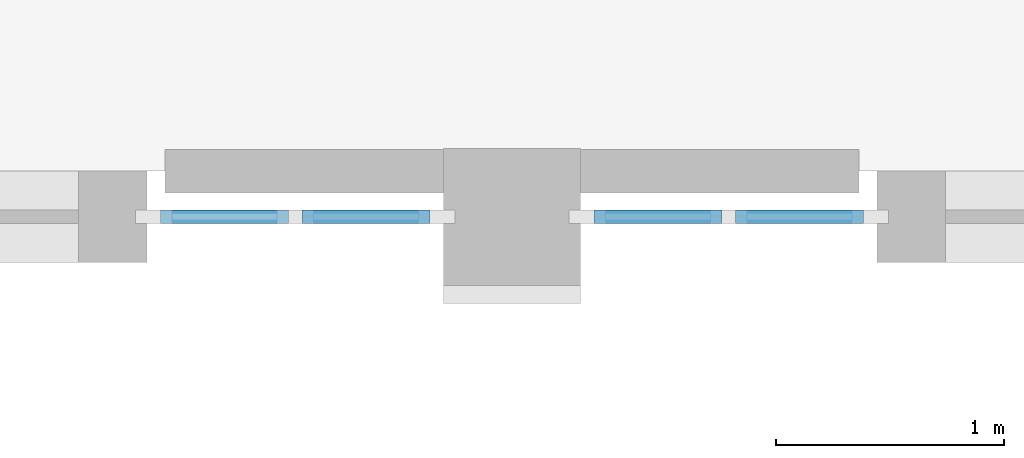
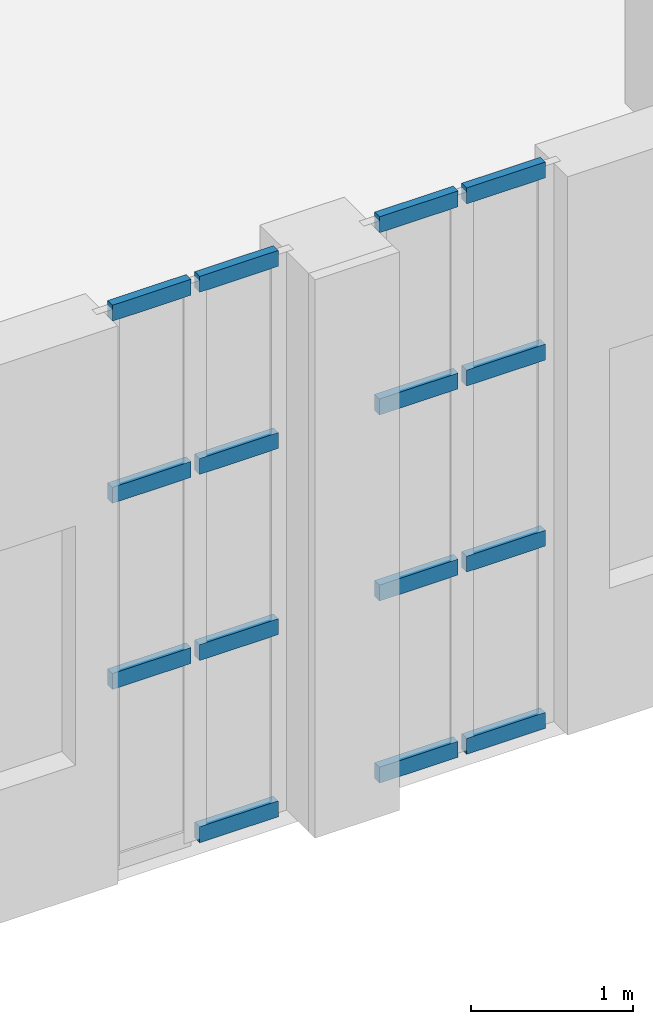
# One storey, part 36 of 99: 15 members, 2 elements without a shape of their own.
"""IFC4 building model written with IfcOpenShell, lengths in metres."""

from ifc_helpers import new_model, si_unit, direction, frame, origin, origin_2d, place, context, subcontext, project, spatial, rectangle, extrude, material, layer, layer_set, material_profile, profile_set, type_object, element, aggregate, save


model = new_model("IFC4")

# Units and contexts
model_context = context("Model", 3, precision=1e-05, world=origin(), true_north=direction((0.0, 1.0)))
body_context = subcontext(model_context, "Body", "Model", "MODEL_VIEW")
ifc_project = project(units=[si_unit("LENGTHUNIT", "METRE"), si_unit("AREAUNIT", "SQUARE_METRE"), si_unit("VOLUMEUNIT", "CUBIC_METRE"), si_unit("PLANEANGLEUNIT", "RADIAN"), si_unit("MASSUNIT", "GRAM", prefix="KILO")], contexts=[model_context])

# Site, building, storey
site_placement = place(None, origin())
site = spatial("IfcSite", under=ifc_project, at=site_placement, CompositionType="ELEMENT")
building_placement = place(site_placement, origin())
building = spatial("IfcBuilding", under=site, at=building_placement, Name="Wasatch Bagh Community Centre", CompositionType="ELEMENT")
storey_placement = place(building_placement, frame((0.0, 0.0, 4.199951171875)))
storey = spatial("IfcBuildingStorey", under=building, at=storey_placement, Name="L01", CompositionType="ELEMENT", Elevation=4.199951171875)

# Curtain wall, members
ifc_material = material(Name="Aluminium alloy 6063-T6", Category="aluminium")
ifc_layer = layer(ifc_material, 0.10009765625)
ifc_layer_set = layer_set([ifc_layer], Name="Aluminium alloy 6063-T6")
curtain_wall_type = type_object("IfcCurtainWallType", Name="SH-CW1", PredefinedType="NOTDEFINED", material=ifc_layer_set)
curtain_wall_1_placement = place(storey_placement, origin())
curtain_wall_1 = element("IfcCurtainWall", 1, at=curtain_wall_1_placement, inside=storey, type_object=curtain_wall_type, Name="Curtain wall SH-CW1", PredefinedType="NOTDEFINED")
ifc_material_profile = material_profile(ifc_material, rectangle(XDim=0.06005859375, YDim=0.1201171875, at=origin_2d()), Name="AL 60x120")
ifc_profile_set = profile_set([ifc_material_profile], Name="Aluminium alloy 6063-T6")
member_type = type_object("IfcMemberType", Name="SH-CW1 transom", PredefinedType="USERDEFINED", material=ifc_profile_set)
member_1_placement = place(storey_placement, frame((127.4599609375, 38.199951171875, 1.400146484375), z_axis=(1.0, 0.0, 0.0), x_axis=(0.0, 1.0, 0.0)))
member_1 = element("IfcMember", 2, at=member_1_placement, type_object=member_type, Name="SH-CW1 transom 1.2", ObjectType="TRANSOM", PredefinedType="USERDEFINED", context=body_context, shape_type="SweptSolid", body=[
    extrude(rectangle(XDim=0.06005859375, YDim=0.1201171875, at=origin_2d()), origin(), (0.0, 0.0, 1.0), 0.56005859375),
])
member_2_placement = place(storey_placement, frame((127.4599609375, 38.199951171875, 2.800048828125), z_axis=(1.0, 0.0, 0.0), x_axis=(0.0, 1.0, 0.0)))
member_2 = element("IfcMember", 3, at=member_2_placement, type_object=member_type, Name="SH-CW1 transom 1.3", ObjectType="TRANSOM", PredefinedType="USERDEFINED", context=body_context, shape_type="SweptSolid", body=[
    extrude(rectangle(XDim=0.06005859375, YDim=0.1201171875, at=origin_2d()), origin(), (0.0, 0.0, 1.0), 0.56005859375),
])
member_3_placement = place(storey_placement, frame((127.4599609375, 38.199951171875, 4.170166015625), z_axis=(1.0, 0.0, 0.0), x_axis=(0.0, 1.0, 0.0)))
member_3 = element("IfcMember", 4, at=member_3_placement, type_object=member_type, Name="SH-CW1 transom 1.4", ObjectType="TRANSOM", PredefinedType="USERDEFINED", context=body_context, shape_type="SweptSolid", body=[
    extrude(rectangle(XDim=0.06005859375, YDim=0.1201171875, at=origin_2d()), origin(), (0.0, 0.0, 1.0), 0.56005859375),
])
member_4_placement = place(storey_placement, frame((128.080078125, 38.199951171875, 0.030029296875), z_axis=(1.0, 0.0, 0.0), x_axis=(0.0, 1.0, 0.0)))
member_4 = element("IfcMember", 5, at=member_4_placement, type_object=member_type, Name="SH-CW1 transom 2.1", ObjectType="TRANSOM", PredefinedType="USERDEFINED", context=body_context, shape_type="SweptSolid", body=[
    extrude(rectangle(XDim=0.06005859375, YDim=0.1201171875, at=origin_2d()), origin(), (0.0, 0.0, 1.0), 0.559814453125),
])
member_5_placement = place(storey_placement, frame((128.080078125, 38.199951171875, 1.400146484375), z_axis=(1.0, 0.0, 0.0), x_axis=(0.0, 1.0, 0.0)))
member_5 = element("IfcMember", 6, at=member_5_placement, type_object=member_type, Name="SH-CW1 transom 2.2", ObjectType="TRANSOM", PredefinedType="USERDEFINED", context=body_context, shape_type="SweptSolid", body=[
    extrude(rectangle(XDim=0.06005859375, YDim=0.1201171875, at=origin_2d()), origin(), (0.0, 0.0, 1.0), 0.559814453125),
])
member_6_placement = place(storey_placement, frame((128.080078125, 38.199951171875, 2.800048828125), z_axis=(1.0, 0.0, 0.0), x_axis=(0.0, 1.0, 0.0)))
member_6 = element("IfcMember", 7, at=member_6_placement, type_object=member_type, Name="SH-CW1 transom 2.3", ObjectType="TRANSOM", PredefinedType="USERDEFINED", context=body_context, shape_type="SweptSolid", body=[
    extrude(rectangle(XDim=0.06005859375, YDim=0.1201171875, at=origin_2d()), origin(), (0.0, 0.0, 1.0), 0.559814453125),
])
member_7_placement = place(storey_placement, frame((128.080078125, 38.199951171875, 4.170166015625), z_axis=(1.0, 0.0, 0.0), x_axis=(0.0, 1.0, 0.0)))
member_7 = element("IfcMember", 8, at=member_7_placement, type_object=member_type, Name="SH-CW1 transom 2.4", ObjectType="TRANSOM", PredefinedType="USERDEFINED", context=body_context, shape_type="SweptSolid", body=[
    extrude(rectangle(XDim=0.06005859375, YDim=0.1201171875, at=origin_2d()), origin(), (0.0, 0.0, 1.0), 0.559814453125),
])
aggregate(curtain_wall_1, [member_1, member_2, member_3, member_4, member_5, member_6, member_7])

curtain_wall_2_placement = place(storey_placement, origin())
curtain_wall_2 = element("IfcCurtainWall", 9, at=curtain_wall_2_placement, inside=storey, type_object=curtain_wall_type, Name="Curtain wall SH-CW1", PredefinedType="NOTDEFINED")
member_8_placement = place(storey_placement, frame((129.360107421875, 38.199951171875, 0.030029296875), z_axis=(1.0, 0.0, 0.0), x_axis=(0.0, 1.0, 0.0)))
member_8 = element("IfcMember", 10, at=member_8_placement, type_object=member_type, Name="SH-CW1 transom 1.1", ObjectType="TRANSOM", PredefinedType="USERDEFINED", context=body_context, shape_type="SweptSolid", body=[
    extrude(rectangle(XDim=0.06005859375, YDim=0.1201171875, at=origin_2d()), origin(), (0.0, 0.0, 1.0), 0.559814453125),
])
member_9_placement = place(storey_placement, frame((129.360107421875, 38.199951171875, 1.400146484375), z_axis=(1.0, 0.0, 0.0), x_axis=(0.0, 1.0, 0.0)))
member_9 = element("IfcMember", 11, at=member_9_placement, type_object=member_type, Name="SH-CW1 transom 1.2", ObjectType="TRANSOM", PredefinedType="USERDEFINED", context=body_context, shape_type="SweptSolid", body=[
    extrude(rectangle(XDim=0.06005859375, YDim=0.1201171875, at=origin_2d()), origin(), (0.0, 0.0, 1.0), 0.559814453125),
])
member_10_placement = place(storey_placement, frame((129.360107421875, 38.199951171875, 2.800048828125), z_axis=(1.0, 0.0, 0.0), x_axis=(0.0, 1.0, 0.0)))
member_10 = element("IfcMember", 12, at=member_10_placement, type_object=member_type, Name="SH-CW1 transom 1.3", ObjectType="TRANSOM", PredefinedType="USERDEFINED", context=body_context, shape_type="SweptSolid", body=[
    extrude(rectangle(XDim=0.06005859375, YDim=0.1201171875, at=origin_2d()), origin(), (0.0, 0.0, 1.0), 0.559814453125),
])
member_11_placement = place(storey_placement, frame((129.360107421875, 38.199951171875, 4.170166015625), z_axis=(1.0, 0.0, 0.0), x_axis=(0.0, 1.0, 0.0)))
member_11 = element("IfcMember", 13, at=member_11_placement, type_object=member_type, Name="SH-CW1 transom 1.4", ObjectType="TRANSOM", PredefinedType="USERDEFINED", context=body_context, shape_type="SweptSolid", body=[
    extrude(rectangle(XDim=0.06005859375, YDim=0.1201171875, at=origin_2d()), origin(), (0.0, 0.0, 1.0), 0.559814453125),
])
member_12_placement = place(storey_placement, frame((129.97998046875, 38.199951171875, 0.030029296875), z_axis=(1.0, 0.0, 0.0), x_axis=(0.0, 1.0, 0.0)))
member_12 = element("IfcMember", 14, at=member_12_placement, type_object=member_type, Name="SH-CW1 transom 2.1", ObjectType="TRANSOM", PredefinedType="USERDEFINED", context=body_context, shape_type="SweptSolid", body=[
    extrude(rectangle(XDim=0.06005859375, YDim=0.1201171875, at=origin_2d()), origin(), (0.0, 0.0, 1.0), 0.56005859375),
])
member_13_placement = place(storey_placement, frame((129.97998046875, 38.199951171875, 1.400146484375), z_axis=(1.0, 0.0, 0.0), x_axis=(0.0, 1.0, 0.0)))
member_13 = element("IfcMember", 15, at=member_13_placement, type_object=member_type, Name="SH-CW1 transom 2.2", ObjectType="TRANSOM", PredefinedType="USERDEFINED", context=body_context, shape_type="SweptSolid", body=[
    extrude(rectangle(XDim=0.06005859375, YDim=0.1201171875, at=origin_2d()), origin(), (0.0, 0.0, 1.0), 0.56005859375),
])
member_14_placement = place(storey_placement, frame((129.97998046875, 38.199951171875, 2.800048828125), z_axis=(1.0, 0.0, 0.0), x_axis=(0.0, 1.0, 0.0)))
member_14 = element("IfcMember", 16, at=member_14_placement, type_object=member_type, Name="SH-CW1 transom 2.3", ObjectType="TRANSOM", PredefinedType="USERDEFINED", context=body_context, shape_type="SweptSolid", body=[
    extrude(rectangle(XDim=0.06005859375, YDim=0.1201171875, at=origin_2d()), origin(), (0.0, 0.0, 1.0), 0.56005859375),
])
member_15_placement = place(storey_placement, frame((129.97998046875, 38.199951171875, 4.170166015625), z_axis=(1.0, 0.0, 0.0), x_axis=(0.0, 1.0, 0.0)))
member_15 = element("IfcMember", 17, at=member_15_placement, type_object=member_type, Name="SH-CW1 transom 2.4", ObjectType="TRANSOM", PredefinedType="USERDEFINED", context=body_context, shape_type="SweptSolid", body=[
    extrude(rectangle(XDim=0.06005859375, YDim=0.1201171875, at=origin_2d()), origin(), (0.0, 0.0, 1.0), 0.56005859375),
])
aggregate(curtain_wall_2, [member_8, member_9, member_10, member_11, member_12, member_13, member_14, member_15])

save(model, "model.ifc")
